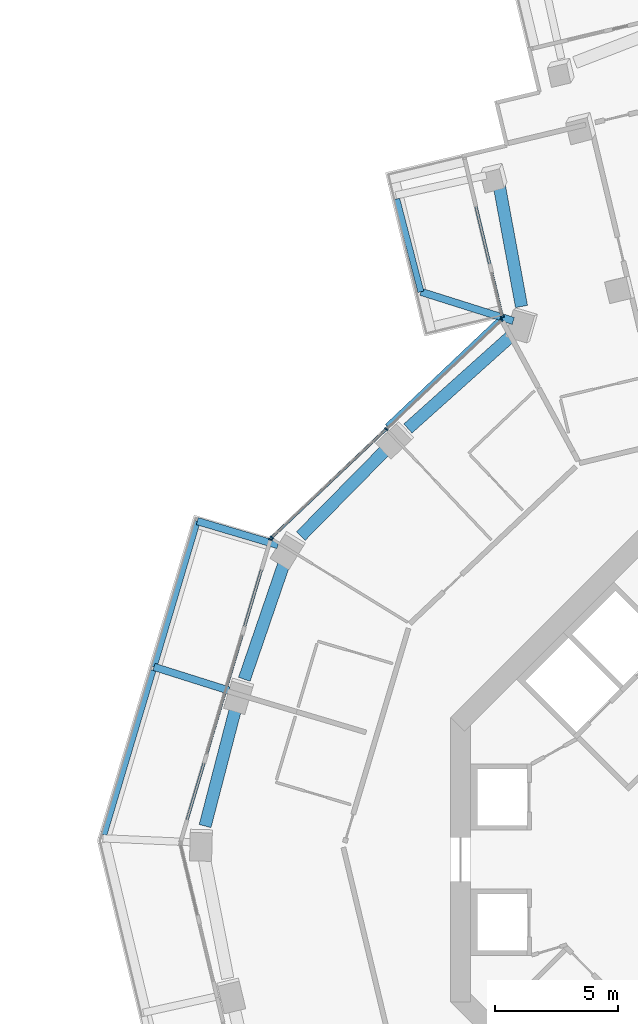
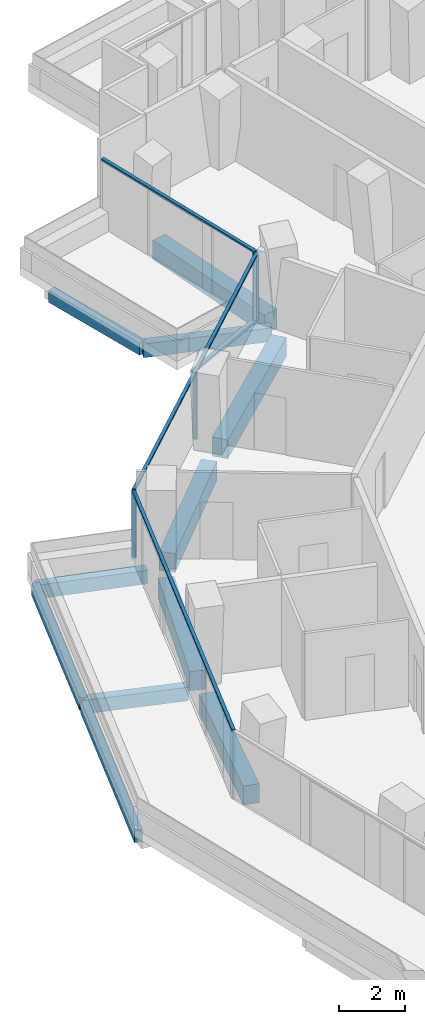
# One storey, part 7 of 27: 11 beams, 9 members, 3 elements without a shape of their own.
"""IFC4 building model written with IfcOpenShell, lengths in metres."""

from ifc_helpers import new_model, si_unit, direction, frame, origin, origin_2d, place, context, subcontext, project, spatial, rectangle, extrude, material, layer, layer_set, material_profile, profile_set, type_object, element, aggregate, save


model = new_model("IFC4")

# Units and contexts
model_context = context("Model", 3, precision=1e-05, world=origin(), true_north=direction((0.0, 1.0)))
body_context = subcontext(model_context, "Body", "Model", "MODEL_VIEW")
ifc_project = project(units=[si_unit("LENGTHUNIT", "METRE"), si_unit("AREAUNIT", "SQUARE_METRE"), si_unit("VOLUMEUNIT", "CUBIC_METRE"), si_unit("PLANEANGLEUNIT", "RADIAN"), si_unit("MASSUNIT", "GRAM", prefix="KILO")], contexts=[model_context])

# Site, building, storey
site_placement = place(None, origin())
site = spatial("IfcSite", under=ifc_project, at=site_placement, CompositionType="ELEMENT")
building_placement = place(site_placement, origin())
building = spatial("IfcBuilding", under=site, at=building_placement, Name="Verdalira Terraces Hotel", CompositionType="ELEMENT")
storey_placement = place(building_placement, frame((0.0, 0.0, 89.5)))
storey = spatial("IfcBuildingStorey", under=building, at=storey_placement, Name="L20", CompositionType="ELEMENT", Elevation=89.5)

# Beams
ifc_material_1 = material(Name="Concrete C40", Category="concrete")
ifc_material_profile_1 = material_profile(ifc_material_1, rectangle(XDim=0.300049, YDim=0.5, at=origin_2d()), Name="RC 300X500")
ifc_profile_set_1 = profile_set([ifc_material_profile_1], Name="Concrete C40")
beam_type_1 = type_object("IfcBeamType", Name="Balcony cantilever beam RC 300X500 C40", PredefinedType="BEAM", material=ifc_profile_set_1)
beam_1_placement = place(storey_placement, frame((-11.449219, 21.964844, -0.560059), z_axis=(-0.953606015, 0.301057418, 0.0), x_axis=(-0.301057418, -0.953606015, 0.0)))
element("IfcBeam", 1, at=beam_1_placement, inside=storey, type_object=beam_type_1, Name="Balcony cantilever beam R10-2", PredefinedType="BEAM", context=body_context, shape_type="SweptSolid", body=[
    extrude(rectangle(XDim=0.300049, YDim=0.5, at=origin_2d()), origin(), (0.0, 0.0, 1.0), 3.950195),
])
beam_2_placement = place(storey_placement, frame((-21.043945, 12.826172, -0.560059), z_axis=(-0.958526376, 0.285003835, 0.0), x_axis=(-0.285003835, -0.958526376, 0.0)))
element("IfcBeam", 2, at=beam_2_placement, inside=storey, type_object=beam_type_1, Name="Balcony cantilever beam R12-3", PredefinedType="BEAM", context=body_context, shape_type="SweptSolid", body=[
    extrude(rectangle(XDim=0.300049, YDim=0.5, at=origin_2d()), origin(), (0.0, 0.0, 1.0), 3.431641),
])
beam_3_placement = place(storey_placement, frame((-23.048096, 6.897705, -0.560059), z_axis=(-0.953604566, 0.301062008, 0.0), x_axis=(-0.301062008, -0.953604566, 0.0)))
element("IfcBeam", 3, at=beam_3_placement, inside=storey, type_object=beam_type_1, Name="Balcony cantilever beam R12-4", PredefinedType="BEAM", context=body_context, shape_type="SweptSolid", body=[
    extrude(rectangle(XDim=0.300049, YDim=0.5, at=origin_2d()), origin(), (0.0, 0.0, 1.0), 3.200684),
])
ifc_material_2 = material(Name="Concrete C40", Category="concrete")
ifc_material_profile_2 = material_profile(ifc_material_2, rectangle(XDim=0.25, YDim=0.449951, at=origin_2d()), Name="RC 250X450")
ifc_profile_set_2 = profile_set([ifc_material_profile_2], Name="Concrete C40")
beam_type_2 = type_object("IfcBeamType", Name="Balcony edge beam RC 250X450 C40", PredefinedType="BEAM", material=ifc_profile_set_2)
beam_4_placement = place(storey_placement, frame((-16.201904, 26.938965, -0.534912), z_axis=(0.252055971, -0.967712658, 0.0), x_axis=(0.967712658, 0.252055971, 0.0)))
element("IfcBeam", 4, at=beam_4_placement, inside=storey, type_object=beam_type_2, Name="Balcony edge beam R10-1", PredefinedType="BEAM", context=body_context, shape_type="SweptSolid", body=[
    extrude(rectangle(XDim=0.25, YDim=0.449951, at=origin_2d()), origin(), (0.0, 0.0, 1.0), 3.911133),
])
beam_5_placement = place(storey_placement, frame((-24.333252, 13.804199, -0.534912), z_axis=(-0.285013292, -0.958523564, 0.0), x_axis=(0.958523564, -0.285013292, 0.0)))
element("IfcBeam", 5, at=beam_5_placement, inside=storey, type_object=beam_type_2, Name="Balcony edge beam R12-2", PredefinedType="BEAM", context=body_context, shape_type="SweptSolid", body=[
    extrude(rectangle(XDim=0.25, YDim=0.449951, at=origin_2d()), origin(), (0.0, 0.0, 1.0), 6.199951),
])
beam_6_placement = place(storey_placement, frame((-26.143311, 7.717529, -0.534912), z_axis=(-0.285796681, -0.958290278, 0.0), x_axis=(0.958290278, -0.285796681, 0.0)))
element("IfcBeam", 6, at=beam_6_placement, inside=storey, type_object=beam_type_2, Name="Balcony edge beam R12-3", PredefinedType="BEAM", context=body_context, shape_type="SweptSolid", body=[
    extrude(rectangle(XDim=0.25, YDim=0.449951, at=origin_2d()), origin(), (0.0, 0.0, 1.0), 6.990234),
])

# Curtain wall, members
ifc_material_3 = material(Name="Clear glass", Category="glass")
ifc_layer_1 = layer(ifc_material_3, 0.14990234375)
ifc_layer_set_1 = layer_set([ifc_layer_1], Name="CW1 curtain wall")
curtain_wall_type_1 = type_object("IfcCurtainWallType", Name="CW1 curtain wall", PredefinedType="NOTDEFINED", material=ifc_layer_set_1)
curtain_wall_1_placement = place(storey_placement, origin())
curtain_wall_1 = element("IfcCurtainWall", 7, at=curtain_wall_1_placement, inside=storey, type_object=curtain_wall_type_1, Name="CW1 curtain wall L20 edge 11", PredefinedType="NOTDEFINED")
ifc_material_4 = material(Name="Terracotta frame", Category="masonry")
ifc_material_profile_3 = material_profile(ifc_material_4, rectangle(XDim=0.060059, YDim=0.149902, at=origin_2d()), Name="MU 60x150")
ifc_profile_set_3 = profile_set([ifc_material_profile_3], Name="Terracotta frame")
member_type_1 = type_object("IfcMemberType", Name="CW1 mullion 60x150", PredefinedType="MULLION", material=ifc_profile_set_3)
member_1_placement = place(storey_placement, frame((-11.93042, 22.008057, 0.0), z_axis=(0.0, 0.0, 1.0), x_axis=(-0.726094816, -0.687594588, 0.0)))
member_1 = element("IfcMember", 8, at=member_1_placement, type_object=member_type_1, Name="CW1 mullion", PredefinedType="MULLION", context=body_context, shape_type="SweptSolid", body=[
    extrude(rectangle(XDim=0.060059, YDim=0.149902, at=origin_2d()), origin(), (0.0, 0.0, 1.0), 2.425049),
])
member_2_placement = place(storey_placement, frame((-16.628418, 17.559326, 0.0), z_axis=(0.0, 0.0, 1.0), x_axis=(-0.726094816, -0.687594588, 0.0)))
member_2 = element("IfcMember", 9, at=member_2_placement, type_object=member_type_1, Name="CW1 mullion", PredefinedType="MULLION", context=body_context, shape_type="SweptSolid", body=[
    extrude(rectangle(XDim=0.060059, YDim=0.149902, at=origin_2d()), origin(), (0.0, 0.0, 1.0), 2.425049),
])
member_3_placement = place(storey_placement, frame((-21.296875, 13.138184, 0.0), z_axis=(0.0, 0.0, 1.0), x_axis=(-0.726094816, -0.687594588, 0.0)))
member_3 = element("IfcMember", 10, at=member_3_placement, type_object=member_type_1, Name="CW1 mullion", PredefinedType="MULLION", context=body_context, shape_type="SweptSolid", body=[
    extrude(rectangle(XDim=0.060059, YDim=0.149902, at=origin_2d()), origin(), (0.0, 0.0, 1.0), 2.425049),
])

# Curtain wall, member
curtain_wall_2_placement = place(storey_placement, origin())
curtain_wall_2 = element("IfcCurtainWall", 11, at=curtain_wall_2_placement, inside=storey, type_object=curtain_wall_type_1, Name="CW1 curtain wall L20 edge 12", PredefinedType="NOTDEFINED")
member_4_placement = place(storey_placement, frame((-21.347656, 13.055908, 0.0), z_axis=(0.0, 0.0, 1.0), x_axis=(-0.285019262, -0.958521789, 0.0)))
member_4 = element("IfcMember", 12, at=member_4_placement, type_object=member_type_1, Name="CW1 mullion", PredefinedType="MULLION", context=body_context, shape_type="SweptSolid", body=[
    extrude(rectangle(XDim=0.060059, YDim=0.149902, at=origin_2d()), origin(), (0.0, 0.0, 1.0), 2.425049),
])

# Member
ifc_material_5 = material(Name="Terracotta frame", Category="masonry")
ifc_material_profile_4 = material_profile(ifc_material_5, rectangle(XDim=0.110107, YDim=0.064941, at=origin_2d()), Name="TR 65x110")
ifc_profile_set_4 = profile_set([ifc_material_profile_4], Name="Terracotta frame")
member_type_2 = type_object("IfcMemberType", Name="CW1 transom 65x110", PredefinedType="USERDEFINED", material=ifc_profile_set_4)
member_5_placement = place(storey_placement, frame((-11.908691, 22.028809, 2.45752), z_axis=(-0.726097213, -0.687592058, 0.0), x_axis=(0.687592058, -0.726097213, 0.0)))
member_5 = element("IfcMember", 13, at=member_5_placement, type_object=member_type_2, Name="CW1 transom", ObjectType="TRANSOM", PredefinedType="USERDEFINED", context=body_context, shape_type="SweptSolid", body=[
    extrude(rectangle(XDim=0.110107, YDim=0.064941, at=origin_2d()), origin(), (0.0, 0.0, 1.0), 12.959961),
])

member_6_placement = place(storey_placement, frame((-21.339111, 13.084473, 2.45752), z_axis=(-0.28502564, -0.958519893, 0.0), x_axis=(0.958519893, -0.28502564, 0.0)))
member_6 = element("IfcMember", 14, at=member_6_placement, type_object=member_type_2, Name="CW1 transom", ObjectType="TRANSOM", PredefinedType="USERDEFINED", context=body_context, shape_type="SweptSolid", body=[
    extrude(rectangle(XDim=0.110107, YDim=0.064941, at=origin_2d()), origin(), (0.0, 0.0, 1.0), 12.919434),
])

aggregate(curtain_wall_2, [member_4, member_6])

# Curtain wall, members
ifc_material_6 = material(Name="Clear glass", Category="glass")
ifc_layer_2 = layer(ifc_material_6, 0.14990234375)
ifc_layer_set_2 = layer_set([ifc_layer_2], Name="CW2 curtain wall")
curtain_wall_type_2 = type_object("IfcCurtainWallType", Name="CW2 curtain wall", PredefinedType="NOTDEFINED", material=ifc_layer_set_2)
curtain_wall_3_placement = place(storey_placement, origin())
curtain_wall_3 = element("IfcCurtainWall", 15, at=curtain_wall_3_placement, inside=storey, type_object=curtain_wall_type_2, Name="CW2 curtain wall L20 edge 10", PredefinedType="NOTDEFINED")
ifc_material_7 = material(Name="Terracotta frame", Category="masonry")
ifc_material_profile_5 = material_profile(ifc_material_7, rectangle(XDim=0.070068, YDim=0.149902, at=origin_2d()), Name="MU 70x150")
ifc_profile_set_5 = profile_set([ifc_material_profile_5], Name="Terracotta frame")
member_type_3 = type_object("IfcMemberType", Name="CW2 mullion 70x150", PredefinedType="MULLION", material=ifc_profile_set_5)
member_7_placement = place(storey_placement, frame((-11.895508, 22.134766, 0.0), z_axis=(0.0, 0.0, 1.0), x_axis=(0.232426973, -0.972613851, 0.0)))
member_7 = element("IfcMember", 16, at=member_7_placement, type_object=member_type_3, Name="CW2 mullion", PredefinedType="MULLION", context=body_context, shape_type="SweptSolid", body=[
    extrude(rectangle(XDim=0.070068, YDim=0.149902, at=origin_2d()), origin(), (0.0, 0.0, 1.0), 2.425049),
])
ifc_material_8 = material(Name="Terracotta frame", Category="masonry")
ifc_material_profile_6 = material_profile(ifc_material_8, rectangle(XDim=0.11499, YDim=0.064941, at=origin_2d()), Name="TR 65x115")
ifc_profile_set_6 = profile_set([ifc_material_profile_6], Name="Terracotta frame")
member_type_4 = type_object("IfcMemberType", Name="CW2 transom 65x115", PredefinedType="USERDEFINED", material=ifc_profile_set_6)
member_8_placement = place(storey_placement, frame((-13.447998, 28.631592, 2.45752), z_axis=(0.232401999, -0.972619818, 0.0), x_axis=(0.972619818, 0.232401999, 0.0)))
member_8 = element("IfcMember", 17, at=member_8_placement, type_object=member_type_4, Name="CW2 transom", ObjectType="TRANSOM", PredefinedType="USERDEFINED", context=body_context, shape_type="SweptSolid", body=[
    extrude(rectangle(XDim=0.11499, YDim=0.064941, at=origin_2d()), origin(), (0.0, 0.0, 1.0), 6.714844),
])
aggregate(curtain_wall_3, [member_7, member_8])

# Member
ifc_material_9 = material(Name="Terracotta frame", Category="masonry")
ifc_material_profile_7 = material_profile(ifc_material_9, rectangle(XDim=0.149902, YDim=0.060059, at=origin_2d()), Name="GB 60x150")
ifc_profile_set_7 = profile_set([ifc_material_profile_7], Name="Terracotta frame")
member_type_5 = type_object("IfcMemberType", Name="Diagonal glazing bar 60x150", PredefinedType="USERDEFINED", material=ifc_profile_set_7)
member_9_placement = place(storey_placement, frame((-12.068604, 21.999756, 0.028809), z_axis=(-0.679141754, -0.643090171, 0.353838254), x_axis=(0.687571489, -0.72611669, 0.0)))
member_9 = element("IfcMember", 18, at=member_9_placement, type_object=member_type_5, Name="Diagonal glazing bar", ObjectType="GLAZING BAR", PredefinedType="USERDEFINED", context=body_context, shape_type="SweptSolid", body=[
    extrude(rectangle(XDim=0.149902, YDim=0.060059, at=origin_2d()), origin(), (0.0, 0.0, 1.0), 6.690674),
])

aggregate(curtain_wall_1, [member_1, member_2, member_3, member_5, member_9])

# Beams
ifc_material_10 = material(Name="Concrete C70", Category="concrete")
ifc_material_profile_8 = material_profile(ifc_material_10, rectangle(XDim=0.5, YDim=0.699951, at=origin_2d()), Name="RC 500X700")
ifc_profile_set_8 = profile_set([ifc_material_profile_8], Name="Concrete C70")
beam_type_3 = type_object("IfcBeamType", Name="Spandrel beam RC 500X700 C70", PredefinedType="SPANDREL", material=ifc_profile_set_8)
beam_7_placement = place(storey_placement, frame((-12.052002, 27.650635, -0.659912), z_axis=(0.181070088, -0.983470194, 0.0), x_axis=(0.983470194, 0.181070088, 0.0)))
element("IfcBeam", 19, at=beam_7_placement, inside=storey, type_object=beam_type_3, Name="Spandrel beam B03", PredefinedType="SPANDREL", context=body_context, shape_type="SweptSolid", body=[
    extrude(rectangle(XDim=0.5, YDim=0.699951, at=origin_2d()), origin(), (0.0, 0.0, 1.0), 5.181641),
])
beam_8_placement = place(storey_placement, frame((-11.522705, 21.364502, -0.659912), z_axis=(-0.744745743, -0.667348318, 0.0), x_axis=(0.667348318, -0.744745743, 0.0)))
element("IfcBeam", 20, at=beam_8_placement, inside=storey, type_object=beam_type_3, Name="Spandrel beam B04", PredefinedType="SPANDREL", context=body_context, shape_type="SweptSolid", body=[
    extrude(rectangle(XDim=0.5, YDim=0.699951, at=origin_2d()), origin(), (0.0, 0.0, 1.0), 5.671631),
])
beam_9_placement = place(storey_placement, frame((-16.597656, 16.766846, -0.659912), z_axis=(-0.701458509, -0.712710292, 0.0), x_axis=(0.712710292, -0.701458509, 0.0)))
element("IfcBeam", 21, at=beam_9_placement, inside=storey, type_object=beam_type_3, Name="Spandrel beam B05", PredefinedType="SPANDREL", context=body_context, shape_type="SweptSolid", body=[
    extrude(rectangle(XDim=0.5, YDim=0.699951, at=origin_2d()), origin(), (0.0, 0.0, 1.0), 5.012207),
])
beam_10_placement = place(storey_placement, frame((-20.789551, 12.098389, -0.659912), z_axis=(-0.324496065, -0.945887046, 0.0), x_axis=(0.945887046, -0.324496065, 0.0)))
element("IfcBeam", 22, at=beam_10_placement, inside=storey, type_object=beam_type_3, Name="Spandrel beam B06", PredefinedType="SPANDREL", context=body_context, shape_type="SweptSolid", body=[
    extrude(rectangle(XDim=0.5, YDim=0.699951, at=origin_2d()), origin(), (0.0, 0.0, 1.0), 5.015381),
])
beam_11_placement = place(storey_placement, frame((-22.757324, 6.22168, -0.659912), z_axis=(-0.25114472, -0.967949549, 0.0), x_axis=(0.967949549, -0.25114472, 0.0)))
element("IfcBeam", 23, at=beam_11_placement, inside=storey, type_object=beam_type_3, Name="Spandrel beam B07", PredefinedType="SPANDREL", context=body_context, shape_type="SweptSolid", body=[
    extrude(rectangle(XDim=0.5, YDim=0.699951, at=origin_2d()), origin(), (0.0, 0.0, 1.0), 5.012207),
])

save(model, "model.ifc")
